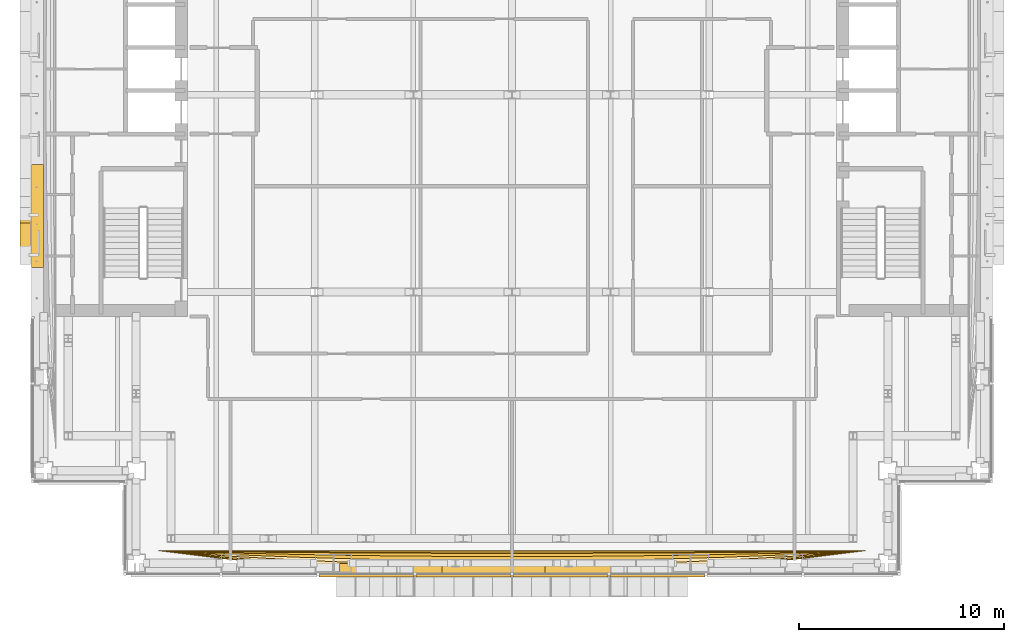
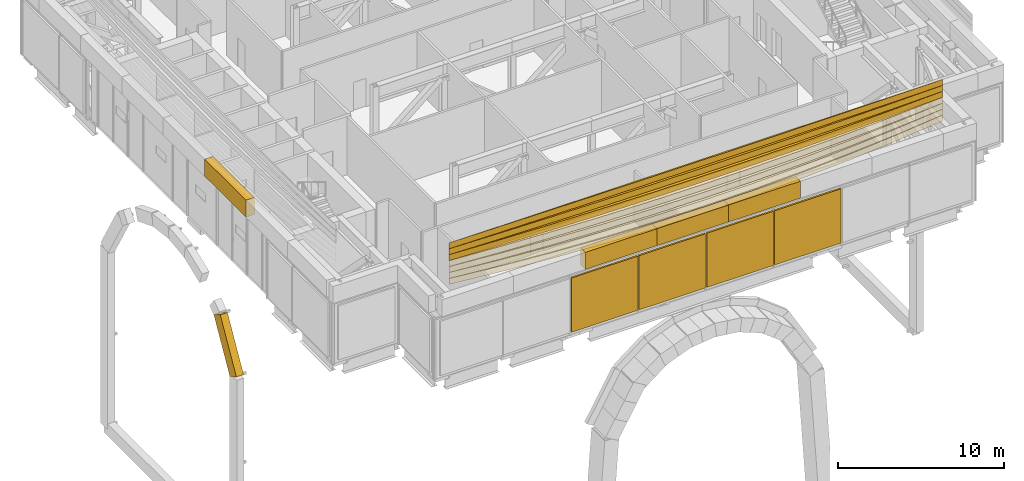
# One storey, part 18 of 38: 16 coverings.
"""IFC4 building model written with IfcOpenShell, lengths in metres."""

from ifc_helpers import new_model, si_unit, direction, frame, origin, origin_2d, place, context, subcontext, project, spatial, polyline, rectangle, outline, extrude, material, material_profile, profile_set, type_object, element, save


model = new_model("IFC4")

# Units and contexts
model_context = context("Model", 3, precision=1e-05, world=origin(), true_north=direction((0.0, 1.0)))
body_context = subcontext(model_context, "Body", "Model", "MODEL_VIEW")
ifc_project = project(units=[si_unit("LENGTHUNIT", "METRE"), si_unit("AREAUNIT", "SQUARE_METRE"), si_unit("VOLUMEUNIT", "CUBIC_METRE"), si_unit("PLANEANGLEUNIT", "RADIAN"), si_unit("MASSUNIT", "GRAM", prefix="KILO")], contexts=[model_context])

# Site, building, storey
site_placement = place(None, origin())
site = spatial("IfcSite", under=ifc_project, at=site_placement, CompositionType="ELEMENT")
building_placement = place(site_placement, origin())
building = spatial("IfcBuilding", under=site, at=building_placement, Name="Cobrizo Arcos Hotel Tower", CompositionType="ELEMENT")
storey_placement = place(building_placement, frame((0.0, 0.0, 138.0)))
storey = spatial("IfcBuildingStorey", under=building, at=storey_placement, Name="L35", CompositionType="ELEMENT", Elevation=138.0)

# Coverings
ifc_material_1 = material(Name="Aluminium 6063-T6 anodised pale", Category="aluminium")
ifc_material_profile = material_profile(ifc_material_1, rectangle(XDim=0.5, YDim=0.89990234375, at=origin_2d()), Name="AF-2 core arch rim 500x900")
ifc_profile_set = profile_set([ifc_material_profile], Name="Aluminium 6063-T6 anodised pale")
covering_type_1 = type_object("IfcCoveringType", Name="AF-2 core arch rim 500x900", PredefinedType="CLADDING", material=ifc_profile_set)
covering_1_placement = place(storey_placement, frame((-23.699951171875, -7.800048828125, -7.4326171875), z_axis=(0.0, 0.497621047013, 0.867394543198), x_axis=(-1.0, 0.0, 0.0)))
element("IfcCovering", 1, at=covering_1_placement, inside=storey, type_object=covering_type_1, Name="Arch rim B W face", PredefinedType="CLADDING", context=body_context, shape_type="SweptSolid", body=[
    extrude(rectangle(XDim=0.5, YDim=0.89990234375, at=origin_2d()), origin(), (0.0, 0.0, 1.0), 3.91845703125),
])
covering_type_2 = type_object("IfcCoveringType", Name="LF-1 setback skirt", PredefinedType="CLADDING", material=ifc_material_1)
covering_2_placement = place(storey_placement, frame((0.0, 0.0, 4.5)))
element("IfcCovering", 2, at=covering_2_placement, inside=storey, type_object=covering_type_2, Name="Setback skirt L35", PredefinedType="CLADDING", context=body_context, shape_type="SweptSolid", body=[
    extrude(outline(polyline([(-22.81005859375, -8.39990234375), (-22.81005859375, -3.39990234375), (-23.39990234375, -3.39990234375), (-23.39990234375, -8.39990234375), (-22.81005859375, -8.39990234375)])), origin(), (0.0, 0.0, 1.0), 1.25),
])
covering_3_placement = place(storey_placement, frame((0.0, 0.0, 4.5)))
element("IfcCovering", 3, at=covering_3_placement, inside=storey, type_object=covering_type_2, Name="Setback skirt L35", PredefinedType="CLADDING", context=body_context, shape_type="SweptSolid", body=[
    extrude(outline(polyline([(-3.39990234375, -22.81005859375), (-8.39990234375, -22.81005859375), (-8.39990234375, -23.39990234375), (-3.39990234375, -23.39990234375), (-3.39990234375, -22.81005859375)])), origin(), (0.0, 0.0, 1.0), 1.25),
])
covering_4_placement = place(storey_placement, frame((0.0, 0.0, 4.5)))
element("IfcCovering", 4, at=covering_4_placement, inside=storey, type_object=covering_type_2, Name="Setback skirt L35", PredefinedType="CLADDING", context=body_context, shape_type="SweptSolid", body=[
    extrude(outline(polyline([(1.60009765625, -22.81005859375), (-3.39990234375, -22.81005859375), (-3.39990234375, -23.39990234375), (1.60009765625, -23.39990234375), (1.60009765625, -22.81005859375)])), origin(), (0.0, 0.0, 1.0), 1.25),
])
covering_5_placement = place(storey_placement, frame((0.0, 0.0, 4.5)))
element("IfcCovering", 5, at=covering_5_placement, inside=storey, type_object=covering_type_2, Name="Setback skirt L35", PredefinedType="CLADDING", context=body_context, shape_type="SweptSolid", body=[
    extrude(outline(polyline([(6.60009765625, -22.81005859375), (1.60009765625, -22.81005859375), (1.60009765625, -23.39990234375), (6.60009765625, -23.39990234375), (6.60009765625, -22.81005859375)])), origin(), (0.0, 0.0, 1.0), 1.25),
])
covering_type_3 = type_object("IfcCoveringType", Name="LF-2 setback roll course", PredefinedType="CLADDING", material=ifc_material_1)
covering_6_placement = place(storey_placement, frame((0.0, 0.0, 5.75)))
element("IfcCovering", 6, at=covering_6_placement, inside=storey, type_object=covering_type_3, Name="Setback roll L35 S", PredefinedType="CLADDING", context=body_context, shape_type="SweptSolid", body=[
    extrude(outline(polyline([(17.199951171875, -22.199951171875), (13.760009765625, -22.627197265625), (10.320068359375, -22.95947265625), (6.8798828125, -23.19677734375), (3.43994140625, -23.339111328125), (0.0, -23.386474609375), (-3.43994140625, -23.339111328125), (-6.8798828125, -23.19677734375), (-10.320068359375, -22.95947265625), (-13.760009765625, -22.627197265625), (-17.199951171875, -22.199951171875), (17.199951171875, -22.199951171875)])), origin(), (0.0, 0.0, 1.0), 0.4375),
])
covering_7_placement = place(storey_placement, frame((0.0, 0.0, 6.1875)))
element("IfcCovering", 7, at=covering_7_placement, inside=storey, type_object=covering_type_3, Name="Setback roll L35 S", PredefinedType="CLADDING", context=body_context, shape_type="SweptSolid", body=[
    extrude(outline(polyline([(17.199951171875, -22.199951171875), (13.760009765625, -22.592041015625), (10.320068359375, -22.897216796875), (6.8798828125, -23.114990234375), (3.43994140625, -23.24560546875), (0.0, -23.289306640625), (-3.43994140625, -23.24560546875), (-6.8798828125, -23.114990234375), (-10.320068359375, -22.897216796875), (-13.760009765625, -22.592041015625), (-17.199951171875, -22.199951171875), (17.199951171875, -22.199951171875)])), origin(), (0.0, 0.0, 1.0), 0.4375),
])
covering_8_placement = place(storey_placement, frame((0.0, 0.0, 6.625)))
element("IfcCovering", 8, at=covering_8_placement, inside=storey, type_object=covering_type_3, Name="Setback roll L35 S", PredefinedType="CLADDING", context=body_context, shape_type="SweptSolid", body=[
    extrude(outline(polyline([(17.199951171875, -22.199951171875), (13.760009765625, -22.53173828125), (10.320068359375, -22.789794921875), (6.8798828125, -22.97412109375), (3.43994140625, -23.084716796875), (0.0, -23.12158203125), (-3.43994140625, -23.084716796875), (-6.8798828125, -22.97412109375), (-10.320068359375, -22.789794921875), (-13.760009765625, -22.53173828125), (-17.199951171875, -22.199951171875), (17.199951171875, -22.199951171875)])), origin(), (0.0, 0.0, 1.0), 0.4375),
])
covering_9_placement = place(storey_placement, frame((0.0, 0.0, 7.0625)))
element("IfcCovering", 9, at=covering_9_placement, inside=storey, type_object=covering_type_3, Name="Setback roll L35 S", PredefinedType="CLADDING", context=body_context, shape_type="SweptSolid", body=[
    extrude(outline(polyline([(17.199951171875, -22.199951171875), (13.760009765625, -22.456298828125), (10.320068359375, -22.655517578125), (6.8798828125, -22.798095703125), (3.43994140625, -22.88330078125), (0.0, -22.911865234375), (-3.43994140625, -22.88330078125), (-6.8798828125, -22.798095703125), (-10.320068359375, -22.655517578125), (-13.760009765625, -22.456298828125), (-17.199951171875, -22.199951171875), (17.199951171875, -22.199951171875)])), origin(), (0.0, 0.0, 1.0), 0.4375),
])
covering_10_placement = place(storey_placement, frame((0.0, 0.0, 7.5)))
element("IfcCovering", 10, at=covering_10_placement, inside=storey, type_object=covering_type_3, Name="Setback roll L35 S", PredefinedType="CLADDING", context=body_context, shape_type="SweptSolid", body=[
    extrude(outline(polyline([(17.199951171875, -22.199951171875), (13.760009765625, -22.375732421875), (10.320068359375, -22.512451171875), (6.8798828125, -22.610107421875), (3.43994140625, -22.668701171875), (0.0, -22.68798828125), (-3.43994140625, -22.668701171875), (-6.8798828125, -22.610107421875), (-10.320068359375, -22.512451171875), (-13.760009765625, -22.375732421875), (-17.199951171875, -22.199951171875), (17.199951171875, -22.199951171875)])), origin(), (0.0, 0.0, 1.0), 0.4375),
])
covering_11_placement = place(storey_placement, frame((0.0, 0.0, 7.9375)))
element("IfcCovering", 11, at=covering_11_placement, inside=storey, type_object=covering_type_3, Name="Setback roll L35 S", PredefinedType="CLADDING", context=body_context, shape_type="SweptSolid", body=[
    extrude(outline(polyline([(17.199951171875, -22.199951171875), (13.760009765625, -22.30029296875), (10.320068359375, -22.378173828125), (6.8798828125, -22.433837890625), (3.43994140625, -22.46728515625), (0.0, -22.478271484375), (-3.43994140625, -22.46728515625), (-6.8798828125, -22.433837890625), (-10.320068359375, -22.378173828125), (-13.760009765625, -22.30029296875), (-17.199951171875, -22.199951171875), (17.199951171875, -22.199951171875)])), origin(), (0.0, 0.0, 1.0), 0.4375),
])
covering_12_placement = place(storey_placement, frame((0.0, 0.0, 8.375)))
element("IfcCovering", 12, at=covering_12_placement, inside=storey, type_object=covering_type_3, Name="Setback roll L35 S", PredefinedType="CLADDING", context=body_context, shape_type="SweptSolid", body=[
    extrude(outline(polyline([(17.199951171875, -22.199951171875), (13.760009765625, -22.239990234375), (10.320068359375, -22.27099609375), (6.8798828125, -22.29296875), (3.43994140625, -22.306396484375), (0.0, -22.310791015625), (-3.43994140625, -22.306396484375), (-6.8798828125, -22.29296875), (-10.320068359375, -22.27099609375), (-13.760009765625, -22.239990234375), (-17.199951171875, -22.199951171875), (17.199951171875, -22.199951171875)])), origin(), (0.0, 0.0, 1.0), 0.4375),
])
ifc_material_2 = material(Name="Aluminium 6063-T6 anodised bronze", Category="aluminium")
covering_type_4 = type_object("IfcCoveringType", Name="LV-1 plant louvre band", PredefinedType="CLADDING", material=ifc_material_2)
for number, where, z_axis, x_axis, name in (
    (13, (-7.08740234375, -23.405029296875, 0.25), (0.0, 0.0, 1.0), (1.0, 0.0, 0.0), "louvre band 1277"),
    (14, (-2.362548828125, -23.405029296875, 0.25), (0.0, 0.0, 1.0), (1.0, 0.0, 0.0), "louvre band 1278"),
    (15, (2.362548828125, -23.405029296875, 0.25), (0.0, 0.0, 1.0), (1.0, 0.0, 0.0), "louvre band 1279"),
    (16, (7.08740234375, -23.405029296875, 0.25), (0.0, 0.0, 1.0), (1.0, 0.0, 0.0), "louvre band 1280"),
):
    element("IfcCovering", number, at=place(storey_placement, frame(where, z_axis=z_axis, x_axis=x_axis)), inside=storey, type_object=covering_type_4, Name=name, PredefinedType="CLADDING", context=body_context, shape_type="SweptSolid", body=[
        extrude(rectangle(XDim=4.625, YDim=0.1201171875, at=origin_2d()), origin(), (0.0, 0.0, 1.0), 4.0),
    ])

save(model, "model.ifc")
